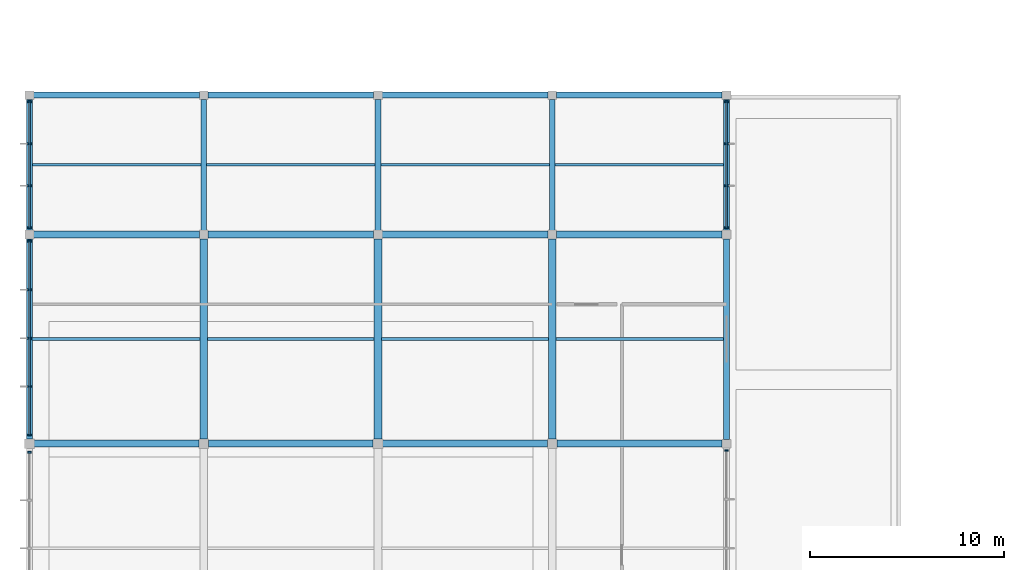
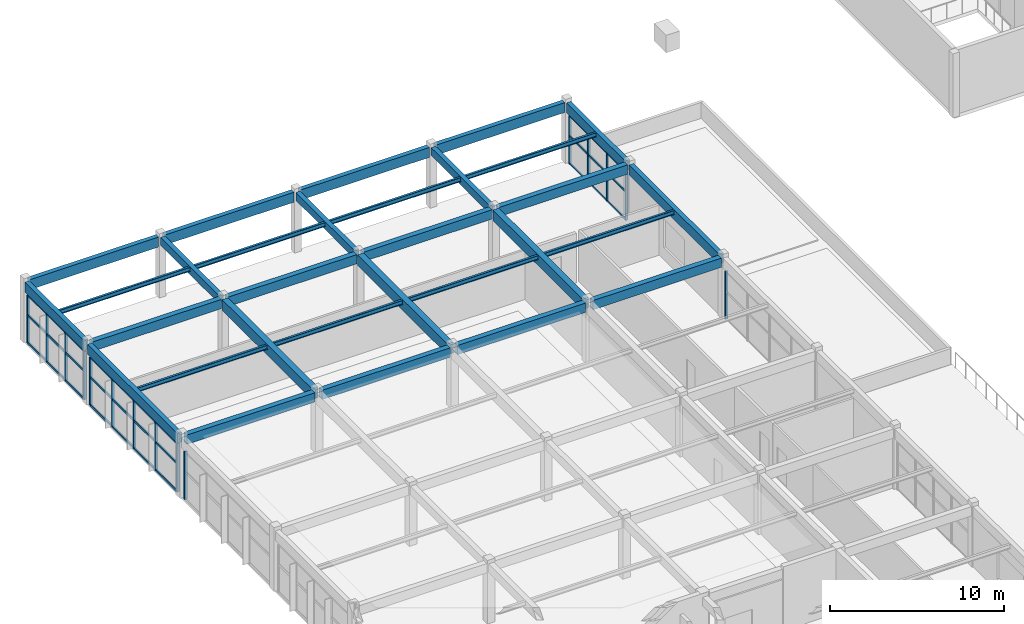
# One storey, part 28 of 89: 38 members, 30 beams, 5 elements without a shape of their own.
"""IFC4 building model written with IfcOpenShell, lengths in metres."""

import ifcopenshell
import ifcopenshell.guid

model = None  # the IFC model being written
_history = None  # IfcOwnerHistory: only IFC2X3 demands one
_inside = {}  # id of a spatial element -> (the spatial element, [elements in it])
_under = {}  # id of a project, library or spatial element -> (it, [spatial elements below it])
_declared = {}  # id of a project -> (the project, [libraries it declares])
_typed = {}  # id of a type object -> (the type object, [elements of that type])
_made_of = {}  # id of a material, layer set ... -> (it, [elements and type objects made of it])


def new_model(schema):
    """Start an empty IFC model of exactly this schema.

    Asked for "IFC4X3", IfcOpenShell would pick the latest addendum, in which some entities
    have other attributes; the version numbers below select the first issue.
    IFC2X3 requires an IfcOwnerHistory on every rooted entity: one is made here for all.
    """
    global model, _history
    if schema == "IFC4X3":
        model = ifcopenshell.file(schema_version=(4, 3, 0, 0))
    else:
        model = ifcopenshell.file(schema=schema)
    _inside.clear()
    _under.clear()
    _declared.clear()
    _typed.clear()
    _made_of.clear()
    _history = None
    if model.schema == "IFC2X3":
        org = make("IfcOrganization", Name="unknown")
        user = make(
            "IfcPersonAndOrganization",
            ThePerson=make("IfcPerson", FamilyName="unknown"),
            TheOrganization=org,
        )
        app = make(
            "IfcApplication",
            ApplicationDeveloper=org,
            Version="unknown",
            ApplicationFullName="unknown",
            ApplicationIdentifier="unknown",
        )
        _history = make(
            "IfcOwnerHistory",
            OwningUser=user,
            OwningApplication=app,
            ChangeAction="ADDED",
            CreationDate=0,
        )
    return model


def make(cls, **values):
    """One entity of the class cls with the attributes given. An attribute that is None is left unset."""
    return model.create_entity(
        cls, **{name: value for name, value in values.items() if value is not None}
    )


def rooted(cls, **values):
    """An entity with a GlobalId (a new one), such as an element, a storey or a relation."""
    return make(cls, GlobalId=ifcopenshell.guid.new(), OwnerHistory=_history, **values)


def si_unit(unit_type, name, prefix=None):
    """IfcSIUnit, for example si_unit("LENGTHUNIT", "METRE", prefix="MILLI")."""
    return make("IfcSIUnit", UnitType=unit_type, Prefix=prefix, Name=name)


def assignment(units):
    """IfcUnitAssignment: the units of a project."""
    return None if units is None else make("IfcUnitAssignment", Units=units)


def point(xyz):
    """IfcCartesianPoint."""
    return None if xyz is None else make("IfcCartesianPoint", Coordinates=xyz)


def direction(xyz):
    """IfcDirection."""
    return None if xyz is None else make("IfcDirection", DirectionRatios=xyz)


def frame(location, z_axis=None, x_axis=None):
    """IfcAxis2Placement3D, a coordinate frame: its origin and axes. An axis left out is left unset."""
    return make(
        "IfcAxis2Placement3D",
        Location=point(location),
        Axis=direction(z_axis),
        RefDirection=direction(x_axis),
    )


def frame_2d(location, x_axis=None):
    """IfcAxis2Placement2D, a coordinate frame in the plane: its origin and x axis."""
    return make(
        "IfcAxis2Placement2D", Location=point(location), RefDirection=direction(x_axis)
    )


def origin():
    """The frame at (0, 0, 0) with its axes left unset."""
    return frame((0.0, 0.0, 0.0))


def origin_2d():
    """The frame at (0, 0) in the plane with its x axis left unset."""
    return frame_2d((0.0, 0.0))


def place(relative_to, where):
    """IfcLocalPlacement: puts the frame where relative to a parent placement (None: the world)."""
    return make(
        "IfcLocalPlacement", PlacementRelTo=relative_to, RelativePlacement=where
    )


def context(
    kind, dimensions, precision=None, world=None, true_north=None, identifier=None
):
    """IfcGeometricRepresentationContext, for example the 3D "Model" context."""
    return make(
        "IfcGeometricRepresentationContext",
        ContextIdentifier=identifier,
        ContextType=kind,
        CoordinateSpaceDimension=dimensions,
        Precision=precision,
        WorldCoordinateSystem=world,
        TrueNorth=true_north,
    )


def subcontext(parent, identifier, kind, view, scale=None):
    """IfcGeometricRepresentationSubContext, for example "Body" below "Model"."""
    return make(
        "IfcGeometricRepresentationSubContext",
        ContextIdentifier=identifier,
        ContextType=kind,
        ParentContext=parent,
        TargetScale=scale,
        TargetView=view,
    )


def project(units=None, contexts=None):
    """IfcProject with its units and contexts."""
    return rooted(
        "IfcProject",
        Name="project",
        RepresentationContexts=contexts,
        UnitsInContext=assignment(units),
    )


def spatial(cls, under=None, at=None, **own):
    """A site, building, storey or space (cls), placed at a placement, below another one or the project."""
    s = rooted(cls, ObjectPlacement=at, **own)
    if under is not None:
        _under.setdefault(under.id(), (under, []))[1].append(s)
    return s


def profile(cls, at=None, kind="AREA", **sizes):
    """A parametric profile (cls). Its sizes go by their IFC names, for example OverallWidth=200.0."""
    return make(cls, ProfileType=kind, Position=at, **sizes)


def rectangle(**sizes):
    """IfcRectangleProfileDef."""
    return profile("IfcRectangleProfileDef", **sizes)


def i_section(**sizes):
    """IfcIShapeProfileDef."""
    return profile("IfcIShapeProfileDef", **sizes)


def extrude(swept, where, along, depth):
    """IfcExtrudedAreaSolid: the profile swept, set in the frame where, extruded along a direction by depth."""
    return make(
        "IfcExtrudedAreaSolid",
        SweptArea=swept,
        Position=where,
        ExtrudedDirection=direction(along),
        Depth=depth,
    )


def shape(context_of_items, identifier, shape_type, items):
    """IfcShapeRepresentation: the items that make up one representation, for example the "Body"."""
    return make(
        "IfcShapeRepresentation",
        ContextOfItems=context_of_items,
        RepresentationIdentifier=identifier,
        RepresentationType=shape_type,
        Items=items,
    )


def material(Name=None, Category=None):
    """IfcMaterial."""
    return make("IfcMaterial", Name=Name, Category=Category)


def material_profile(
    of_material, cross_section, Name=None, Category=None, Priority=None
):
    """IfcMaterialProfile: a cross section and its material."""
    return make(
        "IfcMaterialProfile",
        Name=Name,
        Material=of_material,
        Profile=cross_section,
        Priority=Priority,
        Category=Category,
    )


def profile_set(profiles, Name=None, composite=None):
    """IfcMaterialProfileSet."""
    return make(
        "IfcMaterialProfileSet",
        Name=Name,
        MaterialProfiles=profiles,
        CompositeProfile=composite,
    )


def made_of(thing, what):
    """Note that an element or type object is made of a material, layer set ...; save() writes the relation."""
    if what is not None:
        _made_of.setdefault(what.id(), (what, []))[1].append(thing)
    return thing


def type_object(cls, material=None, **own):
    """A type object (cls), such as IfcWallType, which elements share."""
    return made_of(rooted(cls, **own), material)


def element(
    cls,
    number,
    at=None,
    inside=None,
    cuts=None,
    type_object=None,
    material=None,
    context=None,
    identifier="Body",
    shape_type=None,
    held_by="IfcProductDefinitionShape",
    body=None,
    shapes=None,
    **own,
):
    """One element of the class cls, such as IfcWall. Its Tag is "e" and its number.

    at: its placement. inside: the storey or other place that contains it. cuts: it is an
    opening in that element (IfcRelVoidsElement). A single representation is given by context,
    identifier, shape_type and body (its items); several are given by shapes. held_by: the class
    of the entity that holds the representations. save() writes the other relations.
    """
    e = rooted(cls, Tag="e%d" % number, ObjectPlacement=at, **own)
    if body is not None:
        shapes = [shape(context, identifier, shape_type, body)]
    if shapes is not None:
        e.Representation = make(held_by, Representations=shapes)
    if inside is not None:
        _inside.setdefault(inside.id(), (inside, []))[1].append(e)
    if cuts is not None:
        rooted(
            "IfcRelVoidsElement", RelatingBuildingElement=cuts, RelatedOpeningElement=e
        )
    if type_object is not None:
        _typed.setdefault(type_object.id(), (type_object, []))[1].append(e)
    return made_of(e, material)


def aggregate(whole, parts):
    """IfcRelAggregates: a whole, such as a stair, and the parts it consists of."""
    return rooted("IfcRelAggregates", RelatingObject=whole, RelatedObjects=parts)


def save(model, path):
    """Write the relations noted so far, then the file.

    IfcRelAggregates (storeys below a building ...), IfcRelContainedInSpatialStructure (elements
    in a storey), IfcRelDefinesByType, IfcRelAssociatesMaterial and IfcRelDeclares: one each for
    every whole, place, type object, material and project.
    """
    for whole, parts in _under.values():
        aggregate(whole, parts)
    for where, things in _inside.values():
        rooted(
            "IfcRelContainedInSpatialStructure",
            RelatedElements=things,
            RelatingStructure=where,
        )
    for kind, things in _typed.values():
        rooted("IfcRelDefinesByType", RelatedObjects=things, RelatingType=kind)
    for what, things in _made_of.values():
        rooted("IfcRelAssociatesMaterial", RelatedObjects=things, RelatingMaterial=what)
    for by, libraries in _declared.values():
        rooted("IfcRelDeclares", RelatingContext=by, RelatedDefinitions=libraries)
    model.write(path)


model = new_model("IFC4")

# Units and contexts
model_context = context("Model", 3, precision=1e-05, world=origin(), true_north=direction((0.0, 1.0)))
body_context = subcontext(model_context, "Body", "Model", "MODEL_VIEW")
ifc_project = project(units=[si_unit("LENGTHUNIT", "METRE"), si_unit("AREAUNIT", "SQUARE_METRE"), si_unit("VOLUMEUNIT", "CUBIC_METRE"), si_unit("PLANEANGLEUNIT", "RADIAN"), si_unit("MASSUNIT", "GRAM", prefix="KILO")], contexts=[model_context])

# Site, building, storey
site_placement = place(None, origin())
site = spatial("IfcSite", under=ifc_project, at=site_placement, CompositionType="ELEMENT")
building_placement = place(site_placement, origin())
building = spatial("IfcBuilding", under=site, at=building_placement, Name="Suirenkawa Promenade Aquatics Centre", CompositionType="ELEMENT")
storey_placement = place(building_placement, frame((0.0, 0.0, 9.60009765625)))
storey = spatial("IfcBuildingStorey", under=building, at=storey_placement, Name="L02", CompositionType="ELEMENT", Elevation=9.60009765625)

# Beams
ifc_material_1 = material(Name="Steel IS 2062 E350 (Grade 350)", Category="steel")
ifc_material_profile_1 = material_profile(ifc_material_1, i_section(OverallWidth=0.139892578125, OverallDepth=0.300048828125, WebThickness=0.008056640625, FlangeThickness=0.012939453125, at=origin_2d()), Name="ISMB 300", Category="steel")
ifc_profile_set_1 = profile_set([ifc_material_profile_1], Name="Steel IS 2062 E350 (Grade 350)")
beam_type_1 = type_object("IfcBeamType", Name="BT-JOIST-ISMB300", PredefinedType="JOIST", material=ifc_profile_set_1)
beam_1_placement = place(storey_placement, frame((0.14404296875, 102.60009765625, 4.087890625), z_axis=(1.0, 0.0, 0.0), x_axis=(0.0, 1.0, 0.0)))
element("IfcBeam", 1, at=beam_1_placement, inside=storey, type_object=beam_type_1, Name="Secondary floor joist JS-02 BM-0700", PredefinedType="JOIST", context=body_context, shape_type="SweptSolid", body=[
    extrude(i_section(OverallWidth=0.139892578125, OverallDepth=0.300048828125, WebThickness=0.008056640625, FlangeThickness=0.012939453125, at=origin_2d()), origin(), (0.0, 0.0, 1.0), 8.661865234375),
])
beam_2_placement = place(storey_placement, frame((0.14404296875, 111.60009765625, 4.087890625), z_axis=(1.0, 0.0, 0.0), x_axis=(0.0, 1.0, 0.0)))
element("IfcBeam", 2, at=beam_2_placement, inside=storey, type_object=beam_type_1, Name="Secondary floor joist JS-02 BM-0701", PredefinedType="JOIST", context=body_context, shape_type="SweptSolid", body=[
    extrude(i_section(OverallWidth=0.139892578125, OverallDepth=0.300048828125, WebThickness=0.008056640625, FlangeThickness=0.012939453125, at=origin_2d()), origin(), (0.0, 0.0, 1.0), 8.7119140625),
])
beam_3_placement = place(storey_placement, frame((9.194091796875, 102.60009765625, 4.087890625), z_axis=(1.0, 0.0, 0.0), x_axis=(0.0, 1.0, 0.0)))
element("IfcBeam", 3, at=beam_3_placement, inside=storey, type_object=beam_type_1, Name="Secondary floor joist JS-02 BM-0710", PredefinedType="JOIST", context=body_context, shape_type="SweptSolid", body=[
    extrude(i_section(OverallWidth=0.139892578125, OverallDepth=0.300048828125, WebThickness=0.008056640625, FlangeThickness=0.012939453125, at=origin_2d()), origin(), (0.0, 0.0, 1.0), 8.61181640625),
])
beam_4_placement = place(storey_placement, frame((9.14404296875, 111.60009765625, 4.087890625), z_axis=(1.0, 0.0, 0.0), x_axis=(0.0, 1.0, 0.0)))
element("IfcBeam", 4, at=beam_4_placement, inside=storey, type_object=beam_type_1, Name="Secondary floor joist JS-02 BM-0711", PredefinedType="JOIST", context=body_context, shape_type="SweptSolid", body=[
    extrude(i_section(OverallWidth=0.139892578125, OverallDepth=0.300048828125, WebThickness=0.008056640625, FlangeThickness=0.012939453125, at=origin_2d()), origin(), (0.0, 0.0, 1.0), 8.7119140625),
])
beam_5_placement = place(storey_placement, frame((18.194091796875, 102.60009765625, 4.087890625), z_axis=(1.0, 0.0, 0.0), x_axis=(0.0, 1.0, 0.0)))
element("IfcBeam", 5, at=beam_5_placement, inside=storey, type_object=beam_type_1, Name="Secondary floor joist JS-02 BM-0722", PredefinedType="JOIST", context=body_context, shape_type="SweptSolid", body=[
    extrude(i_section(OverallWidth=0.139892578125, OverallDepth=0.300048828125, WebThickness=0.008056640625, FlangeThickness=0.012939453125, at=origin_2d()), origin(), (0.0, 0.0, 1.0), 8.61181640625),
])
beam_6_placement = place(storey_placement, frame((18.14404296875, 111.60009765625, 4.087890625), z_axis=(1.0, 0.0, 0.0), x_axis=(0.0, 1.0, 0.0)))
element("IfcBeam", 6, at=beam_6_placement, inside=storey, type_object=beam_type_1, Name="Secondary floor joist JS-02 BM-0723", PredefinedType="JOIST", context=body_context, shape_type="SweptSolid", body=[
    extrude(i_section(OverallWidth=0.139892578125, OverallDepth=0.300048828125, WebThickness=0.008056640625, FlangeThickness=0.012939453125, at=origin_2d()), origin(), (0.0, 0.0, 1.0), 8.7119140625),
])
beam_7_placement = place(storey_placement, frame((27.194091796875, 102.60009765625, 4.087890625), z_axis=(1.0, 0.0, 0.0), x_axis=(0.0, 1.0, 0.0)))
element("IfcBeam", 7, at=beam_7_placement, inside=storey, type_object=beam_type_1, Name="Secondary floor joist JS-02 BM-0734", PredefinedType="JOIST", context=body_context, shape_type="SweptSolid", body=[
    extrude(i_section(OverallWidth=0.139892578125, OverallDepth=0.300048828125, WebThickness=0.008056640625, FlangeThickness=0.012939453125, at=origin_2d()), origin(), (0.0, 0.0, 1.0), 8.661865234375),
])
beam_8_placement = place(storey_placement, frame((27.14404296875, 111.60009765625, 4.087890625), z_axis=(1.0, 0.0, 0.0), x_axis=(0.0, 1.0, 0.0)))
element("IfcBeam", 8, at=beam_8_placement, inside=storey, type_object=beam_type_1, Name="Secondary floor joist JS-02 BM-0735", PredefinedType="JOIST", context=body_context, shape_type="SweptSolid", body=[
    extrude(i_section(OverallWidth=0.139892578125, OverallDepth=0.300048828125, WebThickness=0.008056640625, FlangeThickness=0.012939453125, at=origin_2d()), origin(), (0.0, 0.0, 1.0), 8.7119140625),
])
ifc_material_2 = material(Name="Concrete M35", Category="concrete")
ifc_material_profile_2 = material_profile(ifc_material_2, rectangle(XDim=0.300048828125, YDim=0.550048828125, at=origin_2d()), Name="RC BM 300x550", Category="concrete")
ifc_profile_set_2 = profile_set([ifc_material_profile_2], Name="Concrete M35")
beam_type_2 = type_object("IfcBeamType", Name="BT-RC-300x550", PredefinedType="BEAM", material=ifc_profile_set_2)
for number, where, z_axis, x_axis, name in (
    (9, (9.0, 108.218994140625, 3.96484375), (0.0, 1.0, 0.0), (-1.0, 0.0, 0.0), "Floor beam BM-01 BM-0653"),
    (10, (18.0, 108.218994140625, 3.96484375), (0.0, 1.0, 0.0), (-1.0, 0.0, 0.0), "Floor beam BM-01 BM-0665"),
    (11, (27.0, 108.218994140625, 3.96484375), (0.0, 1.0, 0.0), (-1.0, 0.0, 0.0), "Floor beam BM-01 BM-0677"),
):
    element("IfcBeam", number, at=place(storey_placement, frame(where, z_axis=z_axis, x_axis=x_axis)), inside=storey, type_object=beam_type_2, Name=name, PredefinedType="BEAM", context=body_context, shape_type="SweptSolid", body=[
        extrude(rectangle(XDim=0.300048828125, YDim=0.550048828125, at=origin_2d()), origin(), (0.0, 0.0, 1.0), 6.761962890625),
    ])
ifc_material_profile_3 = material_profile(ifc_material_2, rectangle(XDim=0.35009765625, YDim=0.64990234375, at=origin_2d()), Name="RC BM 350x650", Category="concrete")
ifc_profile_set_3 = profile_set([ifc_material_profile_3], Name="Concrete M35")
beam_type_3 = type_object("IfcBeamType", Name="BT-RC-350x650", PredefinedType="BEAM", material=ifc_profile_set_3)
for number, where, z_axis, x_axis, name in (
    (12, (0.243896484375, 97.199951171875, 3.914794921875), (1.0, 0.0, 0.0), (0.0, 1.0, 0.0), "Floor beam BM-03 BM-0618"),
    (13, (9.243896484375, 97.199951171875, 3.914794921875), (1.0, 0.0, 0.0), (0.0, 1.0, 0.0), "Floor beam BM-03 BM-0619"),
    (14, (18.243896484375, 97.199951171875, 3.914794921875), (1.0, 0.0, 0.0), (0.0, 1.0, 0.0), "Floor beam BM-03 BM-0620"),
):
    element("IfcBeam", number, at=place(storey_placement, frame(where, z_axis=z_axis, x_axis=x_axis)), inside=storey, type_object=beam_type_3, Name=name, PredefinedType="BEAM", context=body_context, shape_type="SweptSolid", body=[
        extrude(rectangle(XDim=0.35009765625, YDim=0.64990234375, at=origin_2d()), origin(), (0.0, 0.0, 1.0), 8.51220703125),
    ])
beam_9_placement = place(storey_placement, frame((27.243896484375, 97.199951171875, 3.914794921875), z_axis=(1.0, 0.0, 0.0), x_axis=(0.0, 1.0, 0.0)))
element("IfcBeam", 15, at=beam_9_placement, inside=storey, type_object=beam_type_3, Name="Floor beam BM-03 BM-0621", PredefinedType="BEAM", context=body_context, shape_type="SweptSolid", body=[
    extrude(rectangle(XDim=0.35009765625, YDim=0.64990234375, at=origin_2d()), origin(), (0.0, 0.0, 1.0), 8.537109375),
])
for number, where, z_axis, x_axis, name in (
    (16, (0.218994140625, 108.0, 3.914794921875), (1.0, 0.0, 0.0), (0.0, 1.0, 0.0), "Floor beam BM-03 BM-0622"),
    (17, (9.218994140625, 108.0, 3.914794921875), (1.0, 0.0, 0.0), (0.0, 1.0, 0.0), "Floor beam BM-03 BM-0623"),
    (18, (18.218994140625, 108.0, 3.914794921875), (1.0, 0.0, 0.0), (0.0, 1.0, 0.0), "Floor beam BM-03 BM-0624"),
    (19, (27.218994140625, 108.0, 3.914794921875), (1.0, 0.0, 0.0), (0.0, 1.0, 0.0), "Floor beam BM-03 BM-0625"),
):
    element("IfcBeam", number, at=place(storey_placement, frame(where, z_axis=z_axis, x_axis=x_axis)), inside=storey, type_object=beam_type_3, Name=name, PredefinedType="BEAM", context=body_context, shape_type="SweptSolid", body=[
        extrude(rectangle(XDim=0.35009765625, YDim=0.64990234375, at=origin_2d()), origin(), (0.0, 0.0, 1.0), 8.56201171875),
    ])
ifc_material_3 = material(Name="Concrete M40", Category="concrete")
ifc_material_profile_4 = material_profile(ifc_material_3, rectangle(XDim=0.39990234375, YDim=0.75, at=origin_2d()), Name="RC BM 400x750", Category="concrete")
ifc_profile_set_4 = profile_set([ifc_material_profile_4], Name="Concrete M40")
beam_type_4 = type_object("IfcBeamType", Name="BT-RC-400x750", PredefinedType="BEAM", material=ifc_profile_set_4)
for number, where, z_axis, x_axis, name in (
    (20, (9.0, 97.444091796875, 3.864990234375), (0.0, 1.0, 0.0), (-1.0, 0.0, 0.0), "Floor beam BM-05 BM-0652"),
    (21, (18.0, 97.444091796875, 3.864990234375), (0.0, 1.0, 0.0), (-1.0, 0.0, 0.0), "Floor beam BM-05 BM-0664"),
    (22, (27.0, 97.444091796875, 3.864990234375), (0.0, 1.0, 0.0), (-1.0, 0.0, 0.0), "Floor beam BM-05 BM-0676"),
):
    element("IfcBeam", number, at=place(storey_placement, frame(where, z_axis=z_axis, x_axis=x_axis)), inside=storey, type_object=beam_type_4, Name=name, PredefinedType="BEAM", context=body_context, shape_type="SweptSolid", body=[
        extrude(rectangle(XDim=0.39990234375, YDim=0.75, at=origin_2d()), origin(), (0.0, 0.0, 1.0), 10.3369140625),
    ])
ifc_material_profile_5 = material_profile(ifc_material_3, rectangle(XDim=0.300048828125, YDim=0.699951171875, at=origin_2d()), Name="RC SPANDREL 300x700", Category="concrete")
ifc_profile_set_5 = profile_set([ifc_material_profile_5], Name="Concrete M40")
beam_type_5 = type_object("IfcBeamType", Name="BT-SPANDREL-300x700", PredefinedType="SPANDREL", material=ifc_profile_set_5)
for number, where, z_axis, x_axis, name in (
    (23, (0.218994140625, 115.199951171875, 3.889892578125), (1.0, 0.0, 0.0), (0.0, 1.0, 0.0), "Floor beam SP-01 BM-0626"),
    (24, (9.218994140625, 115.199951171875, 3.889892578125), (1.0, 0.0, 0.0), (0.0, 1.0, 0.0), "Floor beam SP-01 BM-0627"),
    (25, (18.218994140625, 115.199951171875, 3.889892578125), (1.0, 0.0, 0.0), (0.0, 1.0, 0.0), "Floor beam SP-01 BM-0628"),
    (26, (27.218994140625, 115.199951171875, 3.889892578125), (1.0, 0.0, 0.0), (0.0, 1.0, 0.0), "Floor beam SP-01 BM-0629"),
):
    element("IfcBeam", number, at=place(storey_placement, frame(where, z_axis=z_axis, x_axis=x_axis)), inside=storey, type_object=beam_type_5, Name=name, PredefinedType="SPANDREL", context=body_context, shape_type="SweptSolid", body=[
        extrude(rectangle(XDim=0.300048828125, YDim=0.699951171875, at=origin_2d()), origin(), (0.0, 0.0, 1.0), 8.56201171875),
    ])
beam_10_placement = place(storey_placement, frame((0.0, 97.444091796875, 3.889892578125), z_axis=(0.0, 1.0, 0.0), x_axis=(-1.0, 0.0, 0.0)))
element("IfcBeam", 27, at=beam_10_placement, inside=storey, type_object=beam_type_5, Name="Floor beam SP-01 BM-0640", PredefinedType="SPANDREL", context=body_context, shape_type="SweptSolid", body=[
    extrude(rectangle(XDim=0.300048828125, YDim=0.699951171875, at=origin_2d()), origin(), (0.0, 0.0, 1.0), 10.3369140625),
])
beam_11_placement = place(storey_placement, frame((0.0, 108.218994140625, 3.889892578125), z_axis=(0.0, 1.0, 0.0), x_axis=(-1.0, 0.0, 0.0)))
element("IfcBeam", 28, at=beam_11_placement, inside=storey, type_object=beam_type_5, Name="Floor beam SP-01 BM-0641", PredefinedType="SPANDREL", context=body_context, shape_type="SweptSolid", body=[
    extrude(rectangle(XDim=0.300048828125, YDim=0.699951171875, at=origin_2d()), origin(), (0.0, 0.0, 1.0), 6.761962890625),
])
beam_12_placement = place(storey_placement, frame((36.0, 97.4189453125, 3.889892578125), z_axis=(0.0, 1.0, 0.0), x_axis=(-1.0, 0.0, 0.0)))
element("IfcBeam", 29, at=beam_12_placement, inside=storey, type_object=beam_type_5, Name="Floor beam SP-01 BM-0688", PredefinedType="SPANDREL", context=body_context, shape_type="SweptSolid", body=[
    extrude(rectangle(XDim=0.300048828125, YDim=0.699951171875, at=origin_2d()), origin(), (0.0, 0.0, 1.0), 10.362060546875),
])
beam_13_placement = place(storey_placement, frame((36.0, 108.218994140625, 3.889892578125), z_axis=(0.0, 1.0, 0.0), x_axis=(-1.0, 0.0, 0.0)))
element("IfcBeam", 30, at=beam_13_placement, inside=storey, type_object=beam_type_5, Name="Floor beam SP-01 BM-0689", PredefinedType="SPANDREL", context=body_context, shape_type="SweptSolid", body=[
    extrude(rectangle(XDim=0.300048828125, YDim=0.699951171875, at=origin_2d()), origin(), (0.0, 0.0, 1.0), 6.761962890625),
])

# Curtain wall, member
ifc_material_4 = material(Name="Anodised aluminium 6063-T6", Category="aluminium")
curtain_wall_type_1 = type_object("IfcCurtainWallType", Name="CWAT-V5EL02-64", PredefinedType="NOTDEFINED", material=ifc_material_4)
curtain_wall_1_placement = place(storey_placement, origin())
curtain_wall_1 = element("IfcCurtainWall", 31, at=curtain_wall_1_placement, inside=storey, type_object=curtain_wall_type_1, Name="Curtain wall CWA-64 CW-127", PredefinedType="NOTDEFINED")
ifc_material_profile_6 = material_profile(ifc_material_4, rectangle(XDim=0.090087890625, YDim=0.159912109375, at=origin_2d()), Name="ALU MULL 90x160", Category="aluminium")
ifc_profile_set_6 = profile_set([ifc_material_profile_6], Name="Anodised aluminium 6063-T6")
member_type_1 = type_object("IfcMemberType", Name="CWM-160x90", PredefinedType="MULLION", material=ifc_profile_set_6)
member_1_placement = place(storey_placement, frame((36.0, 96.85107421875, 0.0), z_axis=(0.0, 0.0, 1.0), x_axis=(0.0, -1.0, 0.0)))
member_1 = element("IfcMember", 32, at=member_1_placement, type_object=member_type_1, Name="Mullion ML-03 CWM-02568", PredefinedType="MULLION", context=body_context, shape_type="SweptSolid", body=[
    extrude(rectangle(XDim=0.090087890625, YDim=0.159912109375, at=origin_2d()), origin(), (0.0, 0.0, 1.0), 3.369873046875),
])
aggregate(curtain_wall_1, [member_1])

# Curtain wall, members
curtain_wall_type_2 = type_object("IfcCurtainWallType", Name="CWAT-V5EL02-70", PredefinedType="NOTDEFINED", material=ifc_material_4)
curtain_wall_2_placement = place(storey_placement, origin())
curtain_wall_2 = element("IfcCurtainWall", 33, at=curtain_wall_2_placement, inside=storey, type_object=curtain_wall_type_2, Name="Curtain wall CWA-70 CW-130", PredefinedType="NOTDEFINED")
member_2_placement = place(storey_placement, frame((36.0, 114.85107421875, 0.0), z_axis=(0.0, 0.0, 1.0), x_axis=(0.0, -1.0, 0.0)))
member_2 = element("IfcMember", 34, at=member_2_placement, type_object=member_type_1, Name="Mullion ML-03 CWM-02629", PredefinedType="MULLION", context=body_context, shape_type="SweptSolid", body=[
    extrude(rectangle(XDim=0.090087890625, YDim=0.159912109375, at=origin_2d()), origin(), (0.0, 0.0, 1.0), 3.369873046875),
])
member_3_placement = place(storey_placement, frame((36.0, 112.68359375, 0.0), z_axis=(0.0, 0.0, 1.0), x_axis=(0.0, -1.0, 0.0)))
member_3 = element("IfcMember", 35, at=member_3_placement, type_object=member_type_1, Name="Mullion ML-03 CWM-02630", PredefinedType="MULLION", context=body_context, shape_type="SweptSolid", body=[
    extrude(rectangle(XDim=0.090087890625, YDim=0.159912109375, at=origin_2d()), origin(), (0.0, 0.0, 1.0), 3.369873046875),
])
member_4_placement = place(storey_placement, frame((36.0, 110.516357421875, 0.0), z_axis=(0.0, 0.0, 1.0), x_axis=(0.0, -1.0, 0.0)))
member_4 = element("IfcMember", 36, at=member_4_placement, type_object=member_type_1, Name="Mullion ML-03 CWM-02631", PredefinedType="MULLION", context=body_context, shape_type="SweptSolid", body=[
    extrude(rectangle(XDim=0.090087890625, YDim=0.159912109375, at=origin_2d()), origin(), (0.0, 0.0, 1.0), 3.369873046875),
])
member_5_placement = place(storey_placement, frame((36.0, 108.34912109375, 0.0), z_axis=(0.0, 0.0, 1.0), x_axis=(0.0, -1.0, 0.0)))
member_5 = element("IfcMember", 37, at=member_5_placement, type_object=member_type_1, Name="Mullion ML-03 CWM-02632", PredefinedType="MULLION", context=body_context, shape_type="SweptSolid", body=[
    extrude(rectangle(XDim=0.090087890625, YDim=0.159912109375, at=origin_2d()), origin(), (0.0, 0.0, 1.0), 3.369873046875),
])

# Curtain wall, member
curtain_wall_type_3 = type_object("IfcCurtainWallType", Name="CWAT-V5WL02-63", PredefinedType="NOTDEFINED", material=ifc_material_4)
curtain_wall_3_placement = place(storey_placement, origin())
curtain_wall_3 = element("IfcCurtainWall", 38, at=curtain_wall_3_placement, inside=storey, type_object=curtain_wall_type_3, Name="Curtain wall CWA-63 CW-126", PredefinedType="NOTDEFINED")
ifc_material_profile_7 = material_profile(ifc_material_4, rectangle(XDim=0.094970703125, YDim=0.18994140625, at=origin_2d()), Name="ALU MULL 95x190", Category="aluminium")
ifc_profile_set_7 = profile_set([ifc_material_profile_7], Name="Anodised aluminium 6063-T6")
member_type_2 = type_object("IfcMemberType", Name="CWM-190x95", PredefinedType="MULLION", material=ifc_profile_set_7)
member_6_placement = place(storey_placement, frame((0.0, 96.7509765625, 0.0), z_axis=(0.0, 0.0, 1.0), x_axis=(0.0, 1.0, 0.0)))
member_6 = element("IfcMember", 39, at=member_6_placement, type_object=member_type_2, Name="Mullion ML-02 CWM-02550", PredefinedType="MULLION", context=body_context, shape_type="SweptSolid", body=[
    extrude(rectangle(XDim=0.094970703125, YDim=0.18994140625, at=origin_2d()), origin(), (0.0, 0.0, 1.0), 3.369873046875),
])
aggregate(curtain_wall_3, [member_6])

# Curtain wall, members
curtain_wall_type_4 = type_object("IfcCurtainWallType", Name="CWAT-V5WL02-68", PredefinedType="NOTDEFINED", material=ifc_material_4)
curtain_wall_4_placement = place(storey_placement, origin())
curtain_wall_4 = element("IfcCurtainWall", 40, at=curtain_wall_4_placement, inside=storey, type_object=curtain_wall_type_4, Name="Curtain wall CWA-68 CW-128", PredefinedType="NOTDEFINED")
member_7_placement = place(storey_placement, frame((0.0, 97.64892578125, 0.0), z_axis=(0.0, 0.0, 1.0), x_axis=(0.0, 1.0, 0.0)))
member_7 = element("IfcMember", 41, at=member_7_placement, type_object=member_type_2, Name="Mullion ML-02 CWM-02590", PredefinedType="MULLION", context=body_context, shape_type="SweptSolid", body=[
    extrude(rectangle(XDim=0.094970703125, YDim=0.18994140625, at=origin_2d()), origin(), (0.0, 0.0, 1.0), 3.369873046875),
])
member_8_placement = place(storey_placement, frame((0.0, 100.1494140625, 0.0), z_axis=(0.0, 0.0, 1.0), x_axis=(0.0, 1.0, 0.0)))
member_8 = element("IfcMember", 42, at=member_8_placement, type_object=member_type_2, Name="Mullion ML-02 CWM-02591", PredefinedType="MULLION", context=body_context, shape_type="SweptSolid", body=[
    extrude(rectangle(XDim=0.094970703125, YDim=0.18994140625, at=origin_2d()), origin(), (0.0, 0.0, 1.0), 3.369873046875),
])
member_9_placement = place(storey_placement, frame((0.0, 102.64990234375, 0.0), z_axis=(0.0, 0.0, 1.0), x_axis=(0.0, 1.0, 0.0)))
member_9 = element("IfcMember", 43, at=member_9_placement, type_object=member_type_2, Name="Mullion ML-02 CWM-02592", PredefinedType="MULLION", context=body_context, shape_type="SweptSolid", body=[
    extrude(rectangle(XDim=0.094970703125, YDim=0.18994140625, at=origin_2d()), origin(), (0.0, 0.0, 1.0), 3.369873046875),
])
member_10_placement = place(storey_placement, frame((0.0, 105.150390625, 0.0), z_axis=(0.0, 0.0, 1.0), x_axis=(0.0, 1.0, 0.0)))
member_10 = element("IfcMember", 44, at=member_10_placement, type_object=member_type_2, Name="Mullion ML-02 CWM-02593", PredefinedType="MULLION", context=body_context, shape_type="SweptSolid", body=[
    extrude(rectangle(XDim=0.094970703125, YDim=0.18994140625, at=origin_2d()), origin(), (0.0, 0.0, 1.0), 3.369873046875),
])
member_11_placement = place(storey_placement, frame((0.0, 107.65087890625, 0.0), z_axis=(0.0, 0.0, 1.0), x_axis=(0.0, 1.0, 0.0)))
member_11 = element("IfcMember", 45, at=member_11_placement, type_object=member_type_2, Name="Mullion ML-02 CWM-02594", PredefinedType="MULLION", context=body_context, shape_type="SweptSolid", body=[
    extrude(rectangle(XDim=0.094970703125, YDim=0.18994140625, at=origin_2d()), origin(), (0.0, 0.0, 1.0), 3.369873046875),
])

curtain_wall_type_5 = type_object("IfcCurtainWallType", Name="CWAT-V5WL02-69", PredefinedType="NOTDEFINED", material=ifc_material_4)
curtain_wall_5_placement = place(storey_placement, origin())
curtain_wall_5 = element("IfcCurtainWall", 46, at=curtain_wall_5_placement, inside=storey, type_object=curtain_wall_type_5, Name="Curtain wall CWA-69 CW-129", PredefinedType="NOTDEFINED")
member_12_placement = place(storey_placement, frame((0.0, 108.34912109375, 0.0), z_axis=(0.0, 0.0, 1.0), x_axis=(0.0, 1.0, 0.0)))
member_12 = element("IfcMember", 47, at=member_12_placement, type_object=member_type_2, Name="Mullion ML-02 CWM-02612", PredefinedType="MULLION", context=body_context, shape_type="SweptSolid", body=[
    extrude(rectangle(XDim=0.094970703125, YDim=0.18994140625, at=origin_2d()), origin(), (0.0, 0.0, 1.0), 3.369873046875),
])
member_13_placement = place(storey_placement, frame((0.0, 110.516357421875, 0.0), z_axis=(0.0, 0.0, 1.0), x_axis=(0.0, 1.0, 0.0)))
member_13 = element("IfcMember", 48, at=member_13_placement, type_object=member_type_2, Name="Mullion ML-02 CWM-02613", PredefinedType="MULLION", context=body_context, shape_type="SweptSolid", body=[
    extrude(rectangle(XDim=0.094970703125, YDim=0.18994140625, at=origin_2d()), origin(), (0.0, 0.0, 1.0), 3.369873046875),
])
member_14_placement = place(storey_placement, frame((0.0, 112.68359375, 0.0), z_axis=(0.0, 0.0, 1.0), x_axis=(0.0, 1.0, 0.0)))
member_14 = element("IfcMember", 49, at=member_14_placement, type_object=member_type_2, Name="Mullion ML-02 CWM-02614", PredefinedType="MULLION", context=body_context, shape_type="SweptSolid", body=[
    extrude(rectangle(XDim=0.094970703125, YDim=0.18994140625, at=origin_2d()), origin(), (0.0, 0.0, 1.0), 3.369873046875),
])
member_15_placement = place(storey_placement, frame((0.0, 114.85107421875, 0.0), z_axis=(0.0, 0.0, 1.0), x_axis=(0.0, 1.0, 0.0)))
member_15 = element("IfcMember", 50, at=member_15_placement, type_object=member_type_2, Name="Mullion ML-02 CWM-02615", PredefinedType="MULLION", context=body_context, shape_type="SweptSolid", body=[
    extrude(rectangle(XDim=0.094970703125, YDim=0.18994140625, at=origin_2d()), origin(), (0.0, 0.0, 1.0), 3.369873046875),
])

# Member
ifc_material_profile_8 = material_profile(ifc_material_4, rectangle(XDim=0.090087890625, YDim=0.1298828125, at=origin_2d()), Name="ALU TRAN 90x130", Category="aluminium")
ifc_profile_set_8 = profile_set([ifc_material_profile_8], Name="Anodised aluminium 6063-T6")
member_type_3 = type_object("IfcMemberType", Name="CWT-130x90", PredefinedType="USERDEFINED", material=ifc_profile_set_8)
member_16_placement = place(storey_placement, frame((36.0, 114.85107421875, 0.0), z_axis=(0.0, -1.0, 0.0), x_axis=(1.0, 0.0, 0.0)))
member_16 = element("IfcMember", 51, at=member_16_placement, type_object=member_type_3, Name="Transom TR-03 CWT-02633", ObjectType="TRANSOM", PredefinedType="USERDEFINED", context=body_context, shape_type="SweptSolid", body=[
    extrude(rectangle(XDim=0.090087890625, YDim=0.1298828125, at=origin_2d()), origin(), (0.0, 0.0, 1.0), 2.16748046875),
])

member_17_placement = place(storey_placement, frame((36.0, 112.68359375, 0.0), z_axis=(0.0, -1.0, 0.0), x_axis=(1.0, 0.0, 0.0)))
member_17 = element("IfcMember", 52, at=member_17_placement, type_object=member_type_3, Name="Transom TR-03 CWT-02634", ObjectType="TRANSOM", PredefinedType="USERDEFINED", context=body_context, shape_type="SweptSolid", body=[
    extrude(rectangle(XDim=0.090087890625, YDim=0.1298828125, at=origin_2d()), origin(), (0.0, 0.0, 1.0), 2.167236328125),
])

member_18_placement = place(storey_placement, frame((36.0, 110.516357421875, 0.0), z_axis=(0.0, -1.0, 0.0), x_axis=(1.0, 0.0, 0.0)))
member_18 = element("IfcMember", 53, at=member_18_placement, type_object=member_type_3, Name="Transom TR-03 CWT-02635", ObjectType="TRANSOM", PredefinedType="USERDEFINED", context=body_context, shape_type="SweptSolid", body=[
    extrude(rectangle(XDim=0.090087890625, YDim=0.1298828125, at=origin_2d()), origin(), (0.0, 0.0, 1.0), 2.167236328125),
])

member_19_placement = place(storey_placement, frame((36.0, 114.85107421875, 1.949951171875), z_axis=(0.0, -1.0, 0.0), x_axis=(1.0, 0.0, 0.0)))
member_19 = element("IfcMember", 54, at=member_19_placement, type_object=member_type_3, Name="Transom TR-03 CWT-02636", ObjectType="TRANSOM", PredefinedType="USERDEFINED", context=body_context, shape_type="SweptSolid", body=[
    extrude(rectangle(XDim=0.090087890625, YDim=0.1298828125, at=origin_2d()), origin(), (0.0, 0.0, 1.0), 2.16748046875),
])

member_20_placement = place(storey_placement, frame((36.0, 112.68359375, 1.949951171875), z_axis=(0.0, -1.0, 0.0), x_axis=(1.0, 0.0, 0.0)))
member_20 = element("IfcMember", 55, at=member_20_placement, type_object=member_type_3, Name="Transom TR-03 CWT-02637", ObjectType="TRANSOM", PredefinedType="USERDEFINED", context=body_context, shape_type="SweptSolid", body=[
    extrude(rectangle(XDim=0.090087890625, YDim=0.1298828125, at=origin_2d()), origin(), (0.0, 0.0, 1.0), 2.167236328125),
])

member_21_placement = place(storey_placement, frame((36.0, 110.516357421875, 1.949951171875), z_axis=(0.0, -1.0, 0.0), x_axis=(1.0, 0.0, 0.0)))
member_21 = element("IfcMember", 56, at=member_21_placement, type_object=member_type_3, Name="Transom TR-03 CWT-02638", ObjectType="TRANSOM", PredefinedType="USERDEFINED", context=body_context, shape_type="SweptSolid", body=[
    extrude(rectangle(XDim=0.090087890625, YDim=0.1298828125, at=origin_2d()), origin(), (0.0, 0.0, 1.0), 2.167236328125),
])

member_22_placement = place(storey_placement, frame((36.0, 114.85107421875, 3.369873046875), z_axis=(0.0, -1.0, 0.0), x_axis=(1.0, 0.0, 0.0)))
member_22 = element("IfcMember", 57, at=member_22_placement, type_object=member_type_3, Name="Roofline transom TR-03 CWT-02639", ObjectType="TRANSOM", PredefinedType="USERDEFINED", context=body_context, shape_type="SweptSolid", body=[
    extrude(rectangle(XDim=0.090087890625, YDim=0.1298828125, at=origin_2d()), origin(), (0.0, 0.0, 1.0), 6.501953125),
])

aggregate(curtain_wall_2, [member_2, member_3, member_4, member_5, member_16, member_17, member_18, member_19, member_20, member_21, member_22])

ifc_material_profile_9 = material_profile(ifc_material_4, rectangle(XDim=0.094970703125, YDim=0.14990234375, at=origin_2d()), Name="ALU TRAN 95x150", Category="aluminium")
ifc_profile_set_9 = profile_set([ifc_material_profile_9], Name="Anodised aluminium 6063-T6")
member_type_4 = type_object("IfcMemberType", Name="CWT-150x95", PredefinedType="USERDEFINED", material=ifc_profile_set_9)
member_23_placement = place(storey_placement, frame((0.0, 97.64892578125, 0.0), z_axis=(0.0, 1.0, 0.0), x_axis=(-1.0, 0.0, 0.0)))
member_23 = element("IfcMember", 58, at=member_23_placement, type_object=member_type_4, Name="Transom TR-02 CWT-02595", ObjectType="TRANSOM", PredefinedType="USERDEFINED", context=body_context, shape_type="SweptSolid", body=[
    extrude(rectangle(XDim=0.094970703125, YDim=0.14990234375, at=origin_2d()), origin(), (0.0, 0.0, 1.0), 2.50048828125),
])

member_24_placement = place(storey_placement, frame((0.0, 100.1494140625, 0.0), z_axis=(0.0, 1.0, 0.0), x_axis=(-1.0, 0.0, 0.0)))
member_24 = element("IfcMember", 59, at=member_24_placement, type_object=member_type_4, Name="Transom TR-02 CWT-02596", ObjectType="TRANSOM", PredefinedType="USERDEFINED", context=body_context, shape_type="SweptSolid", body=[
    extrude(rectangle(XDim=0.094970703125, YDim=0.14990234375, at=origin_2d()), origin(), (0.0, 0.0, 1.0), 2.50048828125),
])

member_25_placement = place(storey_placement, frame((0.0, 102.64990234375, 0.0), z_axis=(0.0, 1.0, 0.0), x_axis=(-1.0, 0.0, 0.0)))
member_25 = element("IfcMember", 60, at=member_25_placement, type_object=member_type_4, Name="Transom TR-02 CWT-02597", ObjectType="TRANSOM", PredefinedType="USERDEFINED", context=body_context, shape_type="SweptSolid", body=[
    extrude(rectangle(XDim=0.094970703125, YDim=0.14990234375, at=origin_2d()), origin(), (0.0, 0.0, 1.0), 2.50048828125),
])

member_26_placement = place(storey_placement, frame((0.0, 105.150390625, 0.0), z_axis=(0.0, 1.0, 0.0), x_axis=(-1.0, 0.0, 0.0)))
member_26 = element("IfcMember", 61, at=member_26_placement, type_object=member_type_4, Name="Transom TR-02 CWT-02598", ObjectType="TRANSOM", PredefinedType="USERDEFINED", context=body_context, shape_type="SweptSolid", body=[
    extrude(rectangle(XDim=0.094970703125, YDim=0.14990234375, at=origin_2d()), origin(), (0.0, 0.0, 1.0), 2.50048828125),
])

member_27_placement = place(storey_placement, frame((0.0, 97.64892578125, 1.949951171875), z_axis=(0.0, 1.0, 0.0), x_axis=(-1.0, 0.0, 0.0)))
member_27 = element("IfcMember", 62, at=member_27_placement, type_object=member_type_4, Name="Transom TR-02 CWT-02599", ObjectType="TRANSOM", PredefinedType="USERDEFINED", context=body_context, shape_type="SweptSolid", body=[
    extrude(rectangle(XDim=0.094970703125, YDim=0.14990234375, at=origin_2d()), origin(), (0.0, 0.0, 1.0), 2.50048828125),
])

member_28_placement = place(storey_placement, frame((0.0, 100.1494140625, 1.949951171875), z_axis=(0.0, 1.0, 0.0), x_axis=(-1.0, 0.0, 0.0)))
member_28 = element("IfcMember", 63, at=member_28_placement, type_object=member_type_4, Name="Transom TR-02 CWT-02600", ObjectType="TRANSOM", PredefinedType="USERDEFINED", context=body_context, shape_type="SweptSolid", body=[
    extrude(rectangle(XDim=0.094970703125, YDim=0.14990234375, at=origin_2d()), origin(), (0.0, 0.0, 1.0), 2.50048828125),
])

member_29_placement = place(storey_placement, frame((0.0, 102.64990234375, 1.949951171875), z_axis=(0.0, 1.0, 0.0), x_axis=(-1.0, 0.0, 0.0)))
member_29 = element("IfcMember", 64, at=member_29_placement, type_object=member_type_4, Name="Transom TR-02 CWT-02601", ObjectType="TRANSOM", PredefinedType="USERDEFINED", context=body_context, shape_type="SweptSolid", body=[
    extrude(rectangle(XDim=0.094970703125, YDim=0.14990234375, at=origin_2d()), origin(), (0.0, 0.0, 1.0), 2.50048828125),
])

member_30_placement = place(storey_placement, frame((0.0, 105.150390625, 1.949951171875), z_axis=(0.0, 1.0, 0.0), x_axis=(-1.0, 0.0, 0.0)))
member_30 = element("IfcMember", 65, at=member_30_placement, type_object=member_type_4, Name="Transom TR-02 CWT-02602", ObjectType="TRANSOM", PredefinedType="USERDEFINED", context=body_context, shape_type="SweptSolid", body=[
    extrude(rectangle(XDim=0.094970703125, YDim=0.14990234375, at=origin_2d()), origin(), (0.0, 0.0, 1.0), 2.50048828125),
])

member_31_placement = place(storey_placement, frame((0.0, 97.64892578125, 3.369873046875), z_axis=(0.0, 1.0, 0.0), x_axis=(-1.0, 0.0, 0.0)))
member_31 = element("IfcMember", 66, at=member_31_placement, type_object=member_type_4, Name="Roofline transom TR-02 CWT-02603", ObjectType="TRANSOM", PredefinedType="USERDEFINED", context=body_context, shape_type="SweptSolid", body=[
    extrude(rectangle(XDim=0.094970703125, YDim=0.14990234375, at=origin_2d()), origin(), (0.0, 0.0, 1.0), 10.001953125),
])

aggregate(curtain_wall_4, [member_7, member_8, member_9, member_10, member_11, member_23, member_24, member_25, member_26, member_27, member_28, member_29, member_30, member_31])

member_32_placement = place(storey_placement, frame((0.0, 108.34912109375, 0.0), z_axis=(0.0, 1.0, 0.0), x_axis=(-1.0, 0.0, 0.0)))
member_32 = element("IfcMember", 67, at=member_32_placement, type_object=member_type_4, Name="Transom TR-02 CWT-02616", ObjectType="TRANSOM", PredefinedType="USERDEFINED", context=body_context, shape_type="SweptSolid", body=[
    extrude(rectangle(XDim=0.094970703125, YDim=0.14990234375, at=origin_2d()), origin(), (0.0, 0.0, 1.0), 2.167236328125),
])

member_33_placement = place(storey_placement, frame((0.0, 110.516357421875, 0.0), z_axis=(0.0, 1.0, 0.0), x_axis=(-1.0, 0.0, 0.0)))
member_33 = element("IfcMember", 68, at=member_33_placement, type_object=member_type_4, Name="Transom TR-02 CWT-02617", ObjectType="TRANSOM", PredefinedType="USERDEFINED", context=body_context, shape_type="SweptSolid", body=[
    extrude(rectangle(XDim=0.094970703125, YDim=0.14990234375, at=origin_2d()), origin(), (0.0, 0.0, 1.0), 2.167236328125),
])

member_34_placement = place(storey_placement, frame((0.0, 112.68359375, 0.0), z_axis=(0.0, 1.0, 0.0), x_axis=(-1.0, 0.0, 0.0)))
member_34 = element("IfcMember", 69, at=member_34_placement, type_object=member_type_4, Name="Transom TR-02 CWT-02618", ObjectType="TRANSOM", PredefinedType="USERDEFINED", context=body_context, shape_type="SweptSolid", body=[
    extrude(rectangle(XDim=0.094970703125, YDim=0.14990234375, at=origin_2d()), origin(), (0.0, 0.0, 1.0), 2.16748046875),
])

member_35_placement = place(storey_placement, frame((0.0, 108.34912109375, 1.949951171875), z_axis=(0.0, 1.0, 0.0), x_axis=(-1.0, 0.0, 0.0)))
member_35 = element("IfcMember", 70, at=member_35_placement, type_object=member_type_4, Name="Transom TR-02 CWT-02619", ObjectType="TRANSOM", PredefinedType="USERDEFINED", context=body_context, shape_type="SweptSolid", body=[
    extrude(rectangle(XDim=0.094970703125, YDim=0.14990234375, at=origin_2d()), origin(), (0.0, 0.0, 1.0), 2.167236328125),
])

member_36_placement = place(storey_placement, frame((0.0, 110.516357421875, 1.949951171875), z_axis=(0.0, 1.0, 0.0), x_axis=(-1.0, 0.0, 0.0)))
member_36 = element("IfcMember", 71, at=member_36_placement, type_object=member_type_4, Name="Transom TR-02 CWT-02620", ObjectType="TRANSOM", PredefinedType="USERDEFINED", context=body_context, shape_type="SweptSolid", body=[
    extrude(rectangle(XDim=0.094970703125, YDim=0.14990234375, at=origin_2d()), origin(), (0.0, 0.0, 1.0), 2.167236328125),
])

member_37_placement = place(storey_placement, frame((0.0, 112.68359375, 1.949951171875), z_axis=(0.0, 1.0, 0.0), x_axis=(-1.0, 0.0, 0.0)))
member_37 = element("IfcMember", 72, at=member_37_placement, type_object=member_type_4, Name="Transom TR-02 CWT-02621", ObjectType="TRANSOM", PredefinedType="USERDEFINED", context=body_context, shape_type="SweptSolid", body=[
    extrude(rectangle(XDim=0.094970703125, YDim=0.14990234375, at=origin_2d()), origin(), (0.0, 0.0, 1.0), 2.16748046875),
])

member_38_placement = place(storey_placement, frame((0.0, 108.34912109375, 3.369873046875), z_axis=(0.0, 1.0, 0.0), x_axis=(-1.0, 0.0, 0.0)))
member_38 = element("IfcMember", 73, at=member_38_placement, type_object=member_type_4, Name="Roofline transom TR-02 CWT-02622", ObjectType="TRANSOM", PredefinedType="USERDEFINED", context=body_context, shape_type="SweptSolid", body=[
    extrude(rectangle(XDim=0.094970703125, YDim=0.14990234375, at=origin_2d()), origin(), (0.0, 0.0, 1.0), 6.501953125),
])

aggregate(curtain_wall_5, [member_12, member_13, member_14, member_15, member_32, member_33, member_34, member_35, member_36, member_37, member_38])

save(model, "model.ifc")
